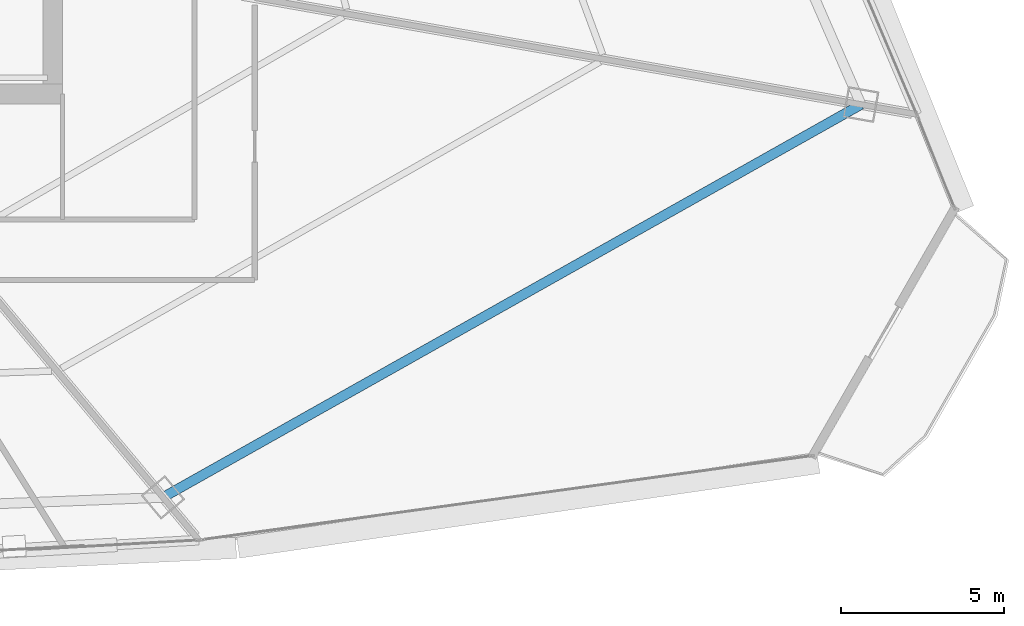
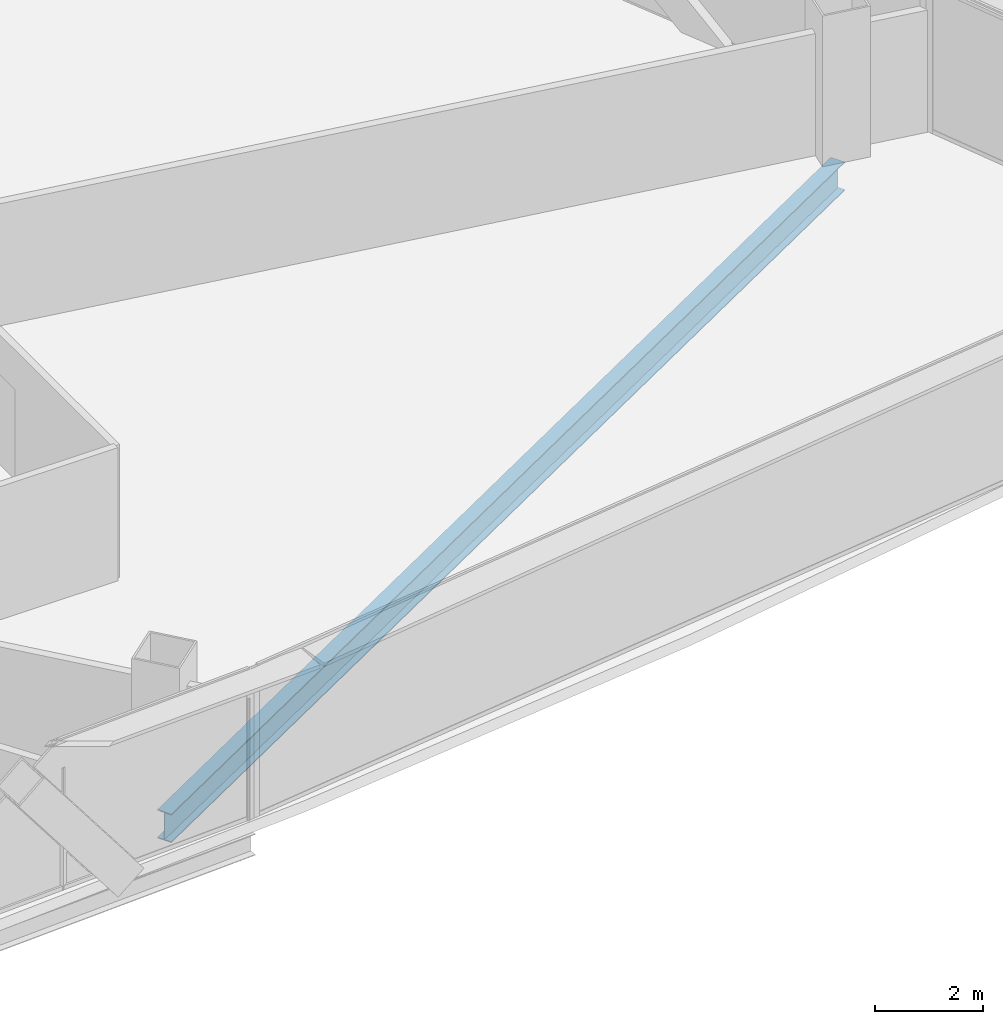
# One storey, part 23 of 39: 1 beam.
"""IFC4 building model written with IfcOpenShell, lengths in metres."""

from ifc_helpers import new_model, si_unit, direction, frame, origin, origin_2d, place, context, subcontext, project, spatial, i_section, extrude, source, transform, mapped, material, material_profile, profile_set, type_object, element, save


model = new_model("IFC4")

# Units and contexts
model_context = context("Model", 3, precision=1e-05, world=origin(), true_north=direction((0.0, 1.0)))
body_context = subcontext(model_context, "Body", "Model", "MODEL_VIEW")
ifc_project = project(units=[si_unit("LENGTHUNIT", "METRE"), si_unit("AREAUNIT", "SQUARE_METRE"), si_unit("VOLUMEUNIT", "CUBIC_METRE"), si_unit("PLANEANGLEUNIT", "RADIAN"), si_unit("MASSUNIT", "GRAM", prefix="KILO"), si_unit("THERMODYNAMICTEMPERATUREUNIT", "KELVIN"), si_unit("POWERUNIT", "WATT")], contexts=[model_context])

# Site, building, storey
site_placement = place(None, origin())
site = spatial("IfcSite", under=ifc_project, at=site_placement, CompositionType="ELEMENT")
building_placement = place(site_placement, origin())
building = spatial("IfcBuilding", under=site, at=building_placement, Name="Yunzhuo Pagoda Commons", CompositionType="ELEMENT")
storey_placement = place(building_placement, frame((0.0, 0.0, 148.22998046875)))
storey = spatial("IfcBuildingStorey", under=building, at=storey_placement, Name="L37", CompositionType="ELEMENT", Elevation=148.22998046875)

# Beam
ifc_material = material(Name="Structural steel Q355B", Category="steel")
ifc_material_profile = material_profile(ifc_material, i_section(OverallWidth=0.300048828125, OverallDepth=0.64990234375, WebThickness=0.012939453125, FlangeThickness=0.02197265625, at=origin_2d()), Name="Structural steel Q355B")
ifc_profile_set = profile_set([ifc_material_profile], Name="Structural steel Q355B")
beam_type = type_object("IfcBeamType", Name="B-RG2 Beam HN 650x300x13x22", PredefinedType="BEAM", material=ifc_profile_set)
shared_shape = source(origin(), body_context, "Body", "SweptSolid", [
    extrude(i_section(OverallWidth=0.300048828125, OverallDepth=0.64990234375, WebThickness=0.012939453125, FlangeThickness=0.02197265625, at=origin_2d()), origin(), (0.0, 0.0, 1.0), 24.56982421875),
])
beam_placement = place(storey_placement, frame((63.585205078125, 15.126220703125, -0.584716796875), z_axis=(0.871469103633, 0.490450406681, 0.0), x_axis=(-0.490450406681, 0.871469103633, 0.0)))
element("IfcBeam", 1, at=beam_placement, inside=storey, type_object=beam_type, Name="L37 column-ring beam 4", PredefinedType="BEAM", context=body_context, shape_type="MappedRepresentation", body=[
    mapped(shared_shape, transform((0.0, 0.0, 0.0), scale=1.0)),
])

save(model, "model.ifc")
